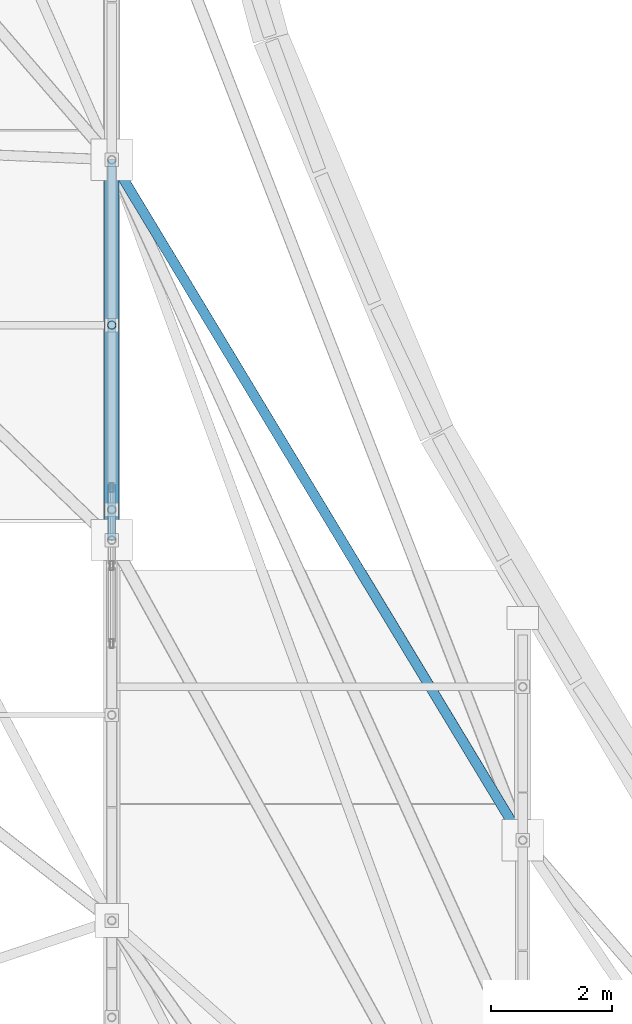
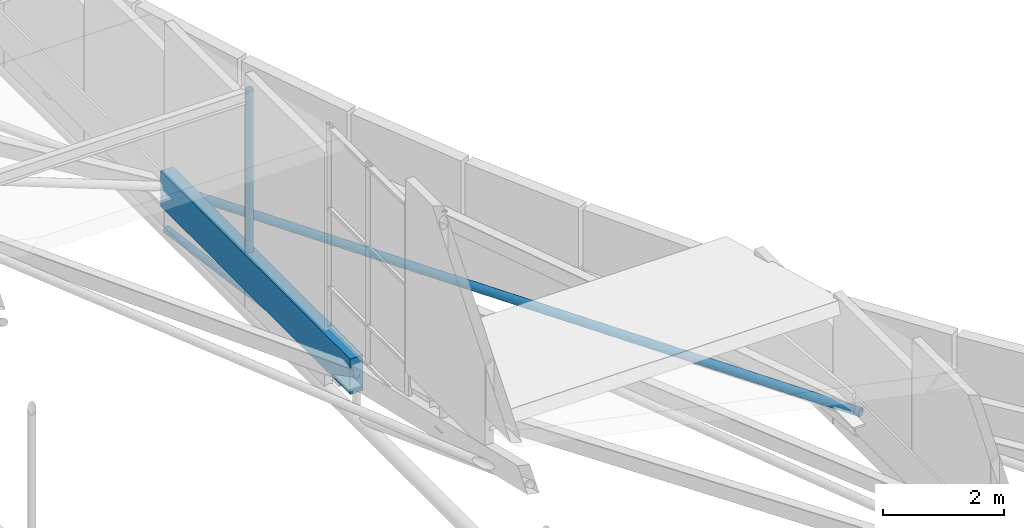
# One storey, part 51 of 188: 4 members.
"""IFC4 building model written with IfcOpenShell, lengths in metres."""

from ifc_helpers import new_model, si_unit, direction, frame, origin, origin_2d, place, context, subcontext, project, spatial, rectangle, hollow_circle, extrude, material, material_profile, profile_set, type_object, element, save


model = new_model("IFC4")

# Units and contexts
model_context = context("Model", 3, precision=1e-05, world=origin(), true_north=direction((0.0, 1.0)))
body_context = subcontext(model_context, "Body", "Model", "MODEL_VIEW")
ifc_project = project(units=[si_unit("LENGTHUNIT", "METRE"), si_unit("AREAUNIT", "SQUARE_METRE"), si_unit("VOLUMEUNIT", "CUBIC_METRE"), si_unit("PLANEANGLEUNIT", "RADIAN"), si_unit("MASSUNIT", "GRAM", prefix="KILO")], contexts=[model_context])

# Site, building, storey
site_placement = place(None, origin())
site = spatial("IfcSite", under=ifc_project, at=site_placement, CompositionType="ELEMENT")
building_placement = place(site_placement, origin())
building = spatial("IfcBuilding", under=site, at=building_placement, Name="Kisaragi Civic Commons", CompositionType="ELEMENT")
storey_placement = place(building_placement, frame((0.0, 0.0, 9.60009765625)))
storey = spatial("IfcBuildingStorey", under=building, at=storey_placement, Name="L02", CompositionType="ELEMENT", Elevation=9.60009765625)

# Members
ifc_material_1 = material(Name="Steel SN400 (SN400B)", Category="steel")
ifc_material_profile_1 = material_profile(ifc_material_1, hollow_circle(Radius=0.08251953125, WallThickness=0.006103515625, at=origin_2d()), Name="CHS-165.2x6.0", Category="steel")
ifc_profile_set_1 = profile_set([ifc_material_profile_1], Name="Steel SN400 (SN400B)")
member_type_1 = type_object("IfcMemberType", Name="BR-02", PredefinedType="BRACE", material=ifc_profile_set_1)
member_1_placement = place(storey_placement, frame((27.199951171875, 39.389892578125, 0.415771484375), z_axis=(0.516930667597, -0.855970966153, -0.009817840921), x_axis=(0.856012222656, 0.516955582872, 0.0)))
element("IfcMember", 1, at=member_1_placement, inside=storey, type_object=member_type_1, Name="V1 diagonal gridshell steel brace 30", PredefinedType="BRACE", context=body_context, shape_type="SweptSolid", body=[
    extrude(hollow_circle(Radius=0.08251953125, WallThickness=0.006103515625, at=origin_2d()), origin(), (0.0, 0.0, 1.0), 13.15478515625),
])
ifc_material_2 = material(Name="Glulam E120-F330", Category="wood")
ifc_material_profile_2 = material_profile(ifc_material_2, rectangle(XDim=0.239990234375, YDim=0.719970703125, at=origin_2d()), Name="GL-240x720", Category="wood")
ifc_profile_set_2 = profile_set([ifc_material_profile_2], Name="Glulam E120-F330")
member_type_2 = type_object("IfcMemberType", Name="GR-02", PredefinedType="RAFTER", material=ifc_profile_set_2)
member_2_placement = place(storey_placement, frame((27.199951171875, 33.09521484375, 0.415771484375), z_axis=(0.0, 1.0, 0.0), x_axis=(-1.0, 0.0, 0.0)))
element("IfcMember", 2, at=member_2_placement, inside=storey, type_object=member_type_2, Name="V1 glulam arch rib GR-02 38", PredefinedType="RAFTER", context=body_context, shape_type="SweptSolid", body=[
    extrude(rectangle(XDim=0.239990234375, YDim=0.719970703125, at=origin_2d()), origin(), (0.0, 0.0, 1.0), 6.294677734375),
])
ifc_material_3 = material(Name="Steel SN490 (SN490B)", Category="steel")
ifc_material_profile_3 = material_profile(ifc_material_3, hollow_circle(Radius=0.06982421875, WallThickness=0.006103515625, at=origin_2d()), Name="CHS-139.8x6.0", Category="steel")
ifc_profile_set_3 = profile_set([ifc_material_profile_3], Name="Steel SN490 (SN490B)")
member_type_3 = type_object("IfcMemberType", Name="ST-H1", PredefinedType="STRUT", material=ifc_profile_set_3)
member_3_placement = place(storey_placement, frame((27.199951171875, 39.389892578125, -0.458984375), z_axis=(0.0, -0.990481655644, 0.13764479588), x_axis=(1.0, 0.0, 0.0)))
element("IfcMember", 3, at=member_3_placement, inside=storey, type_object=member_type_3, Name="V1 tied arch truss diagonal web strut 67", PredefinedType="STRUT", context=body_context, shape_type="SweptSolid", body=[
    extrude(hollow_circle(Radius=0.06982421875, WallThickness=0.006103515625, at=origin_2d()), origin(), (0.0, 0.0, 1.0), 6.355224609375),
])
member_4_placement = place(storey_placement, frame((27.199951171875, 36.653076171875, 0.415771484375), z_axis=(0.0, 0.0, 1.0), x_axis=(1.0, 0.0, 0.0)))
element("IfcMember", 4, at=member_4_placement, inside=storey, type_object=member_type_3, Name="V1 clerestory monitor horizontal tie strut 4.4.6", PredefinedType="STRUT", context=body_context, shape_type="SweptSolid", body=[
    extrude(hollow_circle(Radius=0.06982421875, WallThickness=0.006103515625, at=origin_2d()), origin(), (0.0, 0.0, 1.0), 3.641357421875),
])

save(model, "model.ifc")
